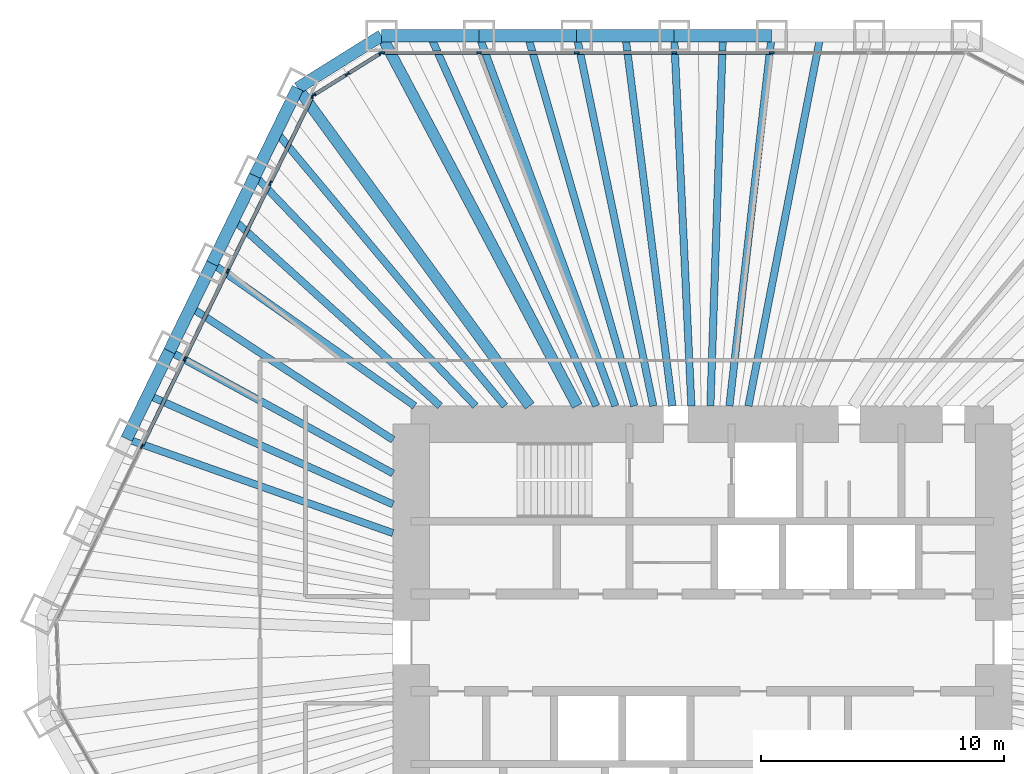
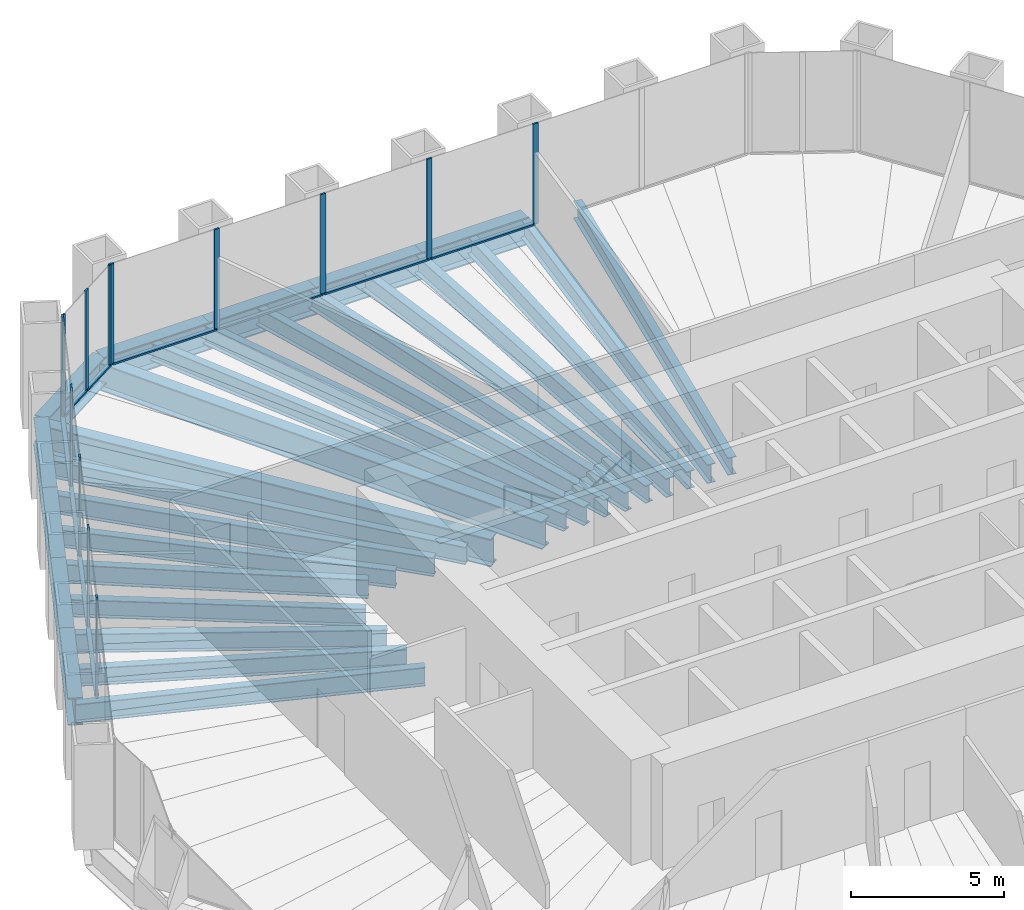
# One storey, part 6 of 13: 28 beams, 23 members, 3 elements without a shape of their own.
"""IFC4 building model written with IfcOpenShell, lengths in metres."""

from ifc_helpers import new_model, si_unit, direction, frame, origin, origin_2d, place, context, subcontext, project, spatial, rectangle, i_section, extrude, material, material_profile, profile_set, type_object, element, aggregate, save


model = new_model("IFC4")

# Units and contexts
model_context = context("Model", 3, precision=1e-05, world=origin(), true_north=direction((0.0, 1.0)))
body_context = subcontext(model_context, "Body", "Model", "MODEL_VIEW")
ifc_project = project(units=[si_unit("LENGTHUNIT", "METRE"), si_unit("AREAUNIT", "SQUARE_METRE"), si_unit("VOLUMEUNIT", "CUBIC_METRE"), si_unit("PLANEANGLEUNIT", "RADIAN"), si_unit("MASSUNIT", "GRAM", prefix="KILO")], contexts=[model_context])

# Site, building, storey
site_placement = place(None, origin())
site = spatial("IfcSite", under=ifc_project, at=site_placement, CompositionType="ELEMENT")
building_placement = place(site_placement, origin())
building = spatial("IfcBuilding", under=site, at=building_placement, Name="Qingtian Harvest Tower", CompositionType="ELEMENT")
storey_placement = place(building_placement, frame((0.0, 0.0, 166.0)))
storey = spatial("IfcBuildingStorey", under=building, at=storey_placement, Name="L35", CompositionType="ELEMENT", Elevation=166.0)

# Beams
ifc_material_1 = material(Name="Steel SM570MC", Category="steel")
ifc_material_profile_1 = material_profile(ifc_material_1, i_section(OverallWidth=0.449951171875, OverallDepth=1.10009765625, WebThickness=0.02197265625, FlangeThickness=0.044921875, at=origin_2d()), Name="H1100x450x22x45")
ifc_profile_set_1 = profile_set([ifc_material_profile_1], Name="Steel SM570MC")
beam_type_1 = type_object("IfcBeamType", Name="Corner floor beam FB8 H1100x450x22x45", PredefinedType="BEAM", material=ifc_profile_set_1)
beam_1_placement = place(storey_placement, frame((-13.2216796875, 25.0, -0.719970703125), z_axis=(0.46750989692, -0.88398783718, 0.0), x_axis=(0.88398783718, 0.46750989692, 0.0)))
element("IfcBeam", 1, at=beam_1_placement, inside=storey, type_object=beam_type_1, Name="Floor beam FB8 N0", PredefinedType="BEAM", context=body_context, shape_type="SweptSolid", body=[
    extrude(i_section(OverallWidth=0.449951171875, OverallDepth=1.10009765625, WebThickness=0.02197265625, FlangeThickness=0.044921875, at=origin_2d()), origin(), (0.0, 0.0, 1.0), 17.25146484375),
])
beam_2_placement = place(storey_placement, frame((-16.673828125, 22.8427734375, -0.719970703125), z_axis=(0.589577703364, -0.807711663712, 0.0), x_axis=(0.807711663712, 0.589577703364, 0.0)))
element("IfcBeam", 2, at=beam_2_placement, inside=storey, type_object=beam_type_1, Name="Floor beam FB8 NW6", PredefinedType="BEAM", context=body_context, shape_type="SweptSolid", body=[
    extrude(i_section(OverallWidth=0.449951171875, OverallDepth=1.10009765625, WebThickness=0.02197265625, FlangeThickness=0.044921875, at=origin_2d()), origin(), (0.0, 0.0, 1.0), 16.209716796875),
])
ifc_material_2 = material(Name="Steel SN490B", Category="steel")
ifc_material_profile_2 = material_profile(ifc_material_2, i_section(OverallWidth=0.300048828125, OverallDepth=0.75, WebThickness=0.013916015625, FlangeThickness=0.02490234375, at=origin_2d()), Name="H750x300x14x25")
ifc_profile_set_2 = profile_set([ifc_material_profile_2], Name="Steel SN490B")
beam_type_2 = type_object("IfcBeamType", Name="Floor beam FB12 H750x300x14x25", PredefinedType="BEAM", material=ifc_profile_set_2)
beam_3_placement = place(storey_placement, frame((-9.20263671875, 25.0, -0.544921875), z_axis=(0.345440084985, -0.938440806703, 0.0), x_axis=(0.938440806703, 0.345440084985, 0.0)))
element("IfcBeam", 3, at=beam_3_placement, inside=storey, type_object=beam_type_2, Name="Floor beam FB12 N1", PredefinedType="BEAM", context=body_context, shape_type="SweptSolid", body=[
    extrude(i_section(OverallWidth=0.300048828125, OverallDepth=0.75, WebThickness=0.013916015625, FlangeThickness=0.02490234375, at=origin_2d()), origin(), (0.0, 0.0, 1.0), 16.250244140625),
])
beam_4_placement = place(storey_placement, frame((-5.18359375, 25.0, -0.544921875), z_axis=(0.203032709566, -0.979171955709, 0.0), x_axis=(0.979171955709, 0.203032709566, 0.0)))
element("IfcBeam", 4, at=beam_4_placement, inside=storey, type_object=beam_type_2, Name="Floor beam FB12 N2", PredefinedType="BEAM", context=body_context, shape_type="SweptSolid", body=[
    extrude(i_section(OverallWidth=0.300048828125, OverallDepth=0.75, WebThickness=0.013916015625, FlangeThickness=0.02490234375, at=origin_2d()), origin(), (0.0, 0.0, 1.0), 15.574462890625),
])
beam_5_placement = place(storey_placement, frame((-1.16455078125, 25.0, -0.544921875), z_axis=(0.046536361684, -0.998916596639, 0.0), x_axis=(0.998916596639, 0.046536361684, 0.0)))
element("IfcBeam", 5, at=beam_5_placement, inside=storey, type_object=beam_type_2, Name="Floor beam FB12 N3", PredefinedType="BEAM", context=body_context, shape_type="SweptSolid", body=[
    extrude(i_section(OverallWidth=0.300048828125, OverallDepth=0.75, WebThickness=0.013916015625, FlangeThickness=0.02490234375, at=origin_2d()), origin(), (0.0, 0.0, 1.0), 15.2666015625),
])
beam_6_placement = place(storey_placement, frame((2.8544921875, 25.0, -0.544921875), z_axis=(-0.113440722222, -0.993544766249, 0.0), x_axis=(0.993544766249, -0.113440722222, 0.0)))
element("IfcBeam", 6, at=beam_6_placement, inside=storey, type_object=beam_type_2, Name="Floor beam FB12 N4", PredefinedType="BEAM", context=body_context, shape_type="SweptSolid", body=[
    extrude(i_section(OverallWidth=0.300048828125, OverallDepth=0.75, WebThickness=0.013916015625, FlangeThickness=0.02490234375, at=origin_2d()), origin(), (0.0, 0.0, 1.0), 15.34912109375),
])
beam_7_placement = place(storey_placement, frame((-23.72119140625, 8.3935546875, -0.544921875), z_axis=(0.942723186419, -0.333576068967, 0.0), x_axis=(0.333576068967, 0.942723186419, 0.0)))
element("IfcBeam", 7, at=beam_7_placement, inside=storey, type_object=beam_type_2, Name="Floor beam FB12 NW2", PredefinedType="BEAM", context=body_context, shape_type="SweptSolid", body=[
    extrude(i_section(OverallWidth=0.300048828125, OverallDepth=0.75, WebThickness=0.013916015625, FlangeThickness=0.02490234375, at=origin_2d()), origin(), (0.0, 0.0, 1.0), 11.6376953125),
])
beam_8_placement = place(storey_placement, frame((-21.95947265625, 12.005859375, -0.544921875), z_axis=(0.877432026785, -0.479700988505, 0.0), x_axis=(0.479700988505, 0.877432026785, 0.0)))
element("IfcBeam", 8, at=beam_8_placement, inside=storey, type_object=beam_type_2, Name="Floor beam FB12 NW3", PredefinedType="BEAM", context=body_context, shape_type="SweptSolid", body=[
    extrude(i_section(OverallWidth=0.300048828125, OverallDepth=0.75, WebThickness=0.013916015625, FlangeThickness=0.02490234375, at=origin_2d()), origin(), (0.0, 0.0, 1.0), 10.495849609375),
])
beam_9_placement = place(storey_placement, frame((-20.197509765625, 15.6181640625, -0.544921875), z_axis=(0.818080343043, -0.57510394915, 0.0), x_axis=(0.57510394915, 0.818080343043, 0.0)))
element("IfcBeam", 9, at=beam_9_placement, inside=storey, type_object=beam_type_2, Name="Floor beam FB12 NW4", PredefinedType="BEAM", context=body_context, shape_type="SweptSolid", body=[
    extrude(i_section(OverallWidth=0.300048828125, OverallDepth=0.75, WebThickness=0.013916015625, FlangeThickness=0.02490234375, at=origin_2d()), origin(), (0.0, 0.0, 1.0), 10.20361328125),
])
beam_10_placement = place(storey_placement, frame((-18.435791015625, 19.23046875, -0.544921875), z_axis=(0.69204101057, -0.721858185303, 0.0), x_axis=(0.721858185303, 0.69204101057, 0.0)))
element("IfcBeam", 10, at=beam_10_placement, inside=storey, type_object=beam_type_2, Name="Floor beam FB12 NW5", PredefinedType="BEAM", context=body_context, shape_type="SweptSolid", body=[
    extrude(i_section(OverallWidth=0.300048828125, OverallDepth=0.75, WebThickness=0.013916015625, FlangeThickness=0.02490234375, at=origin_2d()), origin(), (0.0, 0.0, 1.0), 13.13330078125),
])
ifc_material_3 = material(Name="Steel SN490B", Category="steel")
ifc_material_profile_3 = material_profile(ifc_material_3, i_section(OverallWidth=0.300048828125, OverallDepth=0.699951171875, WebThickness=0.012939453125, FlangeThickness=0.02392578125, at=origin_2d()), Name="H700x300x13x24")
ifc_profile_set_3 = profile_set([ifc_material_profile_3], Name="Steel SN490B")
beam_type_3 = type_object("IfcBeamType", Name="Floor joist J2 H700x300x13x24", PredefinedType="JOIST", material=ifc_profile_set_3)
beam_11_placement = place(storey_placement, frame((-11.212158203125, 25.0, -0.52001953125), z_axis=(0.409212761683, -0.912438992852, 0.0), x_axis=(0.912438992852, 0.409212761683, 0.0)))
element("IfcBeam", 11, at=beam_11_placement, inside=storey, type_object=beam_type_3, Name="Floor joist J2 N0", PredefinedType="JOIST", context=body_context, shape_type="SweptSolid", body=[
    extrude(i_section(OverallWidth=0.300048828125, OverallDepth=0.699951171875, WebThickness=0.012939453125, FlangeThickness=0.02392578125, at=origin_2d()), origin(), (0.0, 0.0, 1.0), 16.71337890625),
])
beam_12_placement = place(storey_placement, frame((-7.193115234375, 25.0, -0.52001953125), z_axis=(0.276500682027, -0.961013721462, 0.0), x_axis=(0.961013721462, 0.276500682027, 0.0)))
element("IfcBeam", 12, at=beam_12_placement, inside=storey, type_object=beam_type_3, Name="Floor joist J2 N1", PredefinedType="JOIST", context=body_context, shape_type="SweptSolid", body=[
    extrude(i_section(OverallWidth=0.300048828125, OverallDepth=0.699951171875, WebThickness=0.012939453125, FlangeThickness=0.02392578125, at=origin_2d()), origin(), (0.0, 0.0, 1.0), 15.86865234375),
])
beam_13_placement = place(storey_placement, frame((-3.174072265625, 25.0, -0.52001953125), z_axis=(0.125957899702, -0.992035587821, 0.0), x_axis=(0.992035587821, 0.125957899702, 0.0)))
element("IfcBeam", 13, at=beam_13_placement, inside=storey, type_object=beam_type_3, Name="Floor joist J2 N2", PredefinedType="JOIST", context=body_context, shape_type="SweptSolid", body=[
    extrude(i_section(OverallWidth=0.300048828125, OverallDepth=0.699951171875, WebThickness=0.012939453125, FlangeThickness=0.02392578125, at=origin_2d()), origin(), (0.0, 0.0, 1.0), 15.372314453125),
])
beam_14_placement = place(storey_placement, frame((0.844970703125, 25.0, -0.52001953125), z_axis=(-0.033776183237, -0.999429421943, 0.0), x_axis=(0.999429421943, -0.033776183237, 0.0)))
element("IfcBeam", 14, at=beam_14_placement, inside=storey, type_object=beam_type_3, Name="Floor joist J2 N3", PredefinedType="JOIST", context=body_context, shape_type="SweptSolid", body=[
    extrude(i_section(OverallWidth=0.300048828125, OverallDepth=0.699951171875, WebThickness=0.012939453125, FlangeThickness=0.02392578125, at=origin_2d()), origin(), (0.0, 0.0, 1.0), 15.2587890625),
])
beam_15_placement = place(storey_placement, frame((4.864013671875, 25.0, -0.52001953125), z_axis=(-0.190979017217, -0.981594119269, 0.0), x_axis=(0.981594119269, -0.190979017217, 0.0)))
element("IfcBeam", 15, at=beam_15_placement, inside=storey, type_object=beam_type_3, Name="Floor joist J2 N4", PredefinedType="JOIST", context=body_context, shape_type="SweptSolid", body=[
    extrude(i_section(OverallWidth=0.300048828125, OverallDepth=0.699951171875, WebThickness=0.012939453125, FlangeThickness=0.02392578125, at=origin_2d()), origin(), (0.0, 0.0, 1.0), 15.535888671875),
])
beam_16_placement = place(storey_placement, frame((-22.84033203125, 10.19970703125, -0.52001953125), z_axis=(0.913095877166, -0.407744919162, 0.0), x_axis=(0.407744919162, 0.913095877166, 0.0)))
element("IfcBeam", 16, at=beam_16_placement, inside=storey, type_object=beam_type_3, Name="Floor joist J2 NW2", PredefinedType="JOIST", context=body_context, shape_type="SweptSolid", body=[
    extrude(i_section(OverallWidth=0.300048828125, OverallDepth=0.699951171875, WebThickness=0.012939453125, FlangeThickness=0.02392578125, at=origin_2d()), origin(), (0.0, 0.0, 1.0), 11.05078125),
])
beam_17_placement = place(storey_placement, frame((-21.078369140625, 13.81201171875, -0.52001953125), z_axis=(0.836426246046, -0.548079496903, 0.0), x_axis=(0.548079496903, 0.836426246046, 0.0)))
element("IfcBeam", 17, at=beam_17_placement, inside=storey, type_object=beam_type_3, Name="Floor joist J2 NW3", PredefinedType="JOIST", context=body_context, shape_type="SweptSolid", body=[
    extrude(i_section(OverallWidth=0.300048828125, OverallDepth=0.699951171875, WebThickness=0.012939453125, FlangeThickness=0.02392578125, at=origin_2d()), origin(), (0.0, 0.0, 1.0), 9.95703125),
])
beam_18_placement = place(storey_placement, frame((-19.316650390625, 17.42431640625, -0.52001953125), z_axis=(0.742543540775, -0.669797797886, 0.0), x_axis=(0.669797797886, 0.742543540775, 0.0)))
element("IfcBeam", 18, at=beam_18_placement, inside=storey, type_object=beam_type_3, Name="Floor joist J2 NW4", PredefinedType="JOIST", context=body_context, shape_type="SweptSolid", body=[
    extrude(i_section(OverallWidth=0.300048828125, OverallDepth=0.699951171875, WebThickness=0.012939453125, FlangeThickness=0.02392578125, at=origin_2d()), origin(), (0.0, 0.0, 1.0), 11.457763671875),
])
beam_19_placement = place(storey_placement, frame((-17.5546875, 21.03662109375, -0.52001953125), z_axis=(0.640703730007, -0.767788206704, 0.0), x_axis=(0.767788206704, 0.640703730007, 0.0)))
element("IfcBeam", 19, at=beam_19_placement, inside=storey, type_object=beam_type_3, Name="Floor joist J2 NW5", PredefinedType="JOIST", context=body_context, shape_type="SweptSolid", body=[
    extrude(i_section(OverallWidth=0.300048828125, OverallDepth=0.699951171875, WebThickness=0.012939453125, FlangeThickness=0.02392578125, at=origin_2d()), origin(), (0.0, 0.0, 1.0), 14.7001953125),
])

# Curtain wall, members
ifc_material_4 = material(Name="Bronze-anodised aluminium curtain wall", Category="aluminium")
curtain_wall_type = type_object("IfcCurtainWallType", Name="Curtain wall CW4 office", PredefinedType="USERDEFINED", material=ifc_material_4)
curtain_wall_1_placement = place(storey_placement, origin())
curtain_wall_1 = element("IfcCurtainWall", 20, at=curtain_wall_1_placement, inside=storey, type_object=curtain_wall_type, Name="Curtain wall CW4 L35 N0-5", ObjectType="RECESSED CURTAIN WALL", PredefinedType="USERDEFINED")
ifc_material_5 = material(Name="Bronze-anodised aluminium mullion", Category="aluminium")
ifc_material_profile_4 = material_profile(ifc_material_5, rectangle(XDim=0.06494140625, YDim=0.199951171875, at=origin_2d()), Name="AL 65x200")
ifc_profile_set_4 = profile_set([ifc_material_profile_4], Name="Bronze-anodised aluminium mullion")
member_type_1 = type_object("IfcMemberType", Name="Mullion CWM 65x200", PredefinedType="MULLION", material=ifc_profile_set_4)
member_1_placement = place(storey_placement, frame((-13.189208984375, 24.300048828125, 0.0), z_axis=(0.0, 0.0, 1.0), x_axis=(0.0, 1.0, 0.0)))
member_1 = element("IfcMember", 21, at=member_1_placement, type_object=member_type_1, Name="CW4 mullion 1", PredefinedType="MULLION", context=body_context, shape_type="SweptSolid", body=[
    extrude(rectangle(XDim=0.06494140625, YDim=0.199951171875, at=origin_2d()), origin(), (0.0, 0.0, 1.0), 4.030029296875),
])
member_2_placement = place(storey_placement, frame((-9.20263671875, 24.300048828125, 0.0), z_axis=(0.0, 0.0, 1.0), x_axis=(0.0, 1.0, 0.0)))
member_2 = element("IfcMember", 22, at=member_2_placement, type_object=member_type_1, Name="CW4 mullion 2", PredefinedType="MULLION", context=body_context, shape_type="SweptSolid", body=[
    extrude(rectangle(XDim=0.06494140625, YDim=0.199951171875, at=origin_2d()), origin(), (0.0, 0.0, 1.0), 4.030029296875),
])
member_3_placement = place(storey_placement, frame((-5.18359375, 24.300048828125, 0.0), z_axis=(0.0, 0.0, 1.0), x_axis=(0.0, 1.0, 0.0)))
member_3 = element("IfcMember", 23, at=member_3_placement, type_object=member_type_1, Name="CW4 mullion 3", PredefinedType="MULLION", context=body_context, shape_type="SweptSolid", body=[
    extrude(rectangle(XDim=0.06494140625, YDim=0.199951171875, at=origin_2d()), origin(), (0.0, 0.0, 1.0), 4.030029296875),
])
member_4_placement = place(storey_placement, frame((-1.16455078125, 24.300048828125, 0.0), z_axis=(0.0, 0.0, 1.0), x_axis=(0.0, 1.0, 0.0)))
member_4 = element("IfcMember", 24, at=member_4_placement, type_object=member_type_1, Name="CW4 mullion 4", PredefinedType="MULLION", context=body_context, shape_type="SweptSolid", body=[
    extrude(rectangle(XDim=0.06494140625, YDim=0.199951171875, at=origin_2d()), origin(), (0.0, 0.0, 1.0), 4.030029296875),
])
member_5_placement = place(storey_placement, frame((2.8544921875, 24.300048828125, 0.0), z_axis=(0.0, 0.0, 1.0), x_axis=(0.0, 1.0, 0.0)))
member_5 = element("IfcMember", 25, at=member_5_placement, type_object=member_type_1, Name="CW4 mullion 5", PredefinedType="MULLION", context=body_context, shape_type="SweptSolid", body=[
    extrude(rectangle(XDim=0.06494140625, YDim=0.199951171875, at=origin_2d()), origin(), (0.0, 0.0, 1.0), 4.030029296875),
])

curtain_wall_2_placement = place(storey_placement, origin())
curtain_wall_2 = element("IfcCurtainWall", 26, at=curtain_wall_2_placement, inside=storey, type_object=curtain_wall_type, Name="Curtain wall CW4 L35 NW0-5", ObjectType="RECESSED CURTAIN WALL", PredefinedType="USERDEFINED")
member_6_placement = place(storey_placement, frame((-23.092041015625, 8.086669921875, 0.0), z_axis=(0.0, 0.0, 1.0), x_axis=(-0.898794046299, 0.438371146789, 0.0)))
member_6 = element("IfcMember", 27, at=member_6_placement, type_object=member_type_1, Name="CW4 mullion 3", PredefinedType="MULLION", context=body_context, shape_type="SweptSolid", body=[
    extrude(rectangle(XDim=0.06494140625, YDim=0.199951171875, at=origin_2d()), origin(), (0.0, 0.0, 1.0), 4.030029296875),
])
member_7_placement = place(storey_placement, frame((-21.330322265625, 11.698974609375, 0.0), z_axis=(0.0, 0.0, 1.0), x_axis=(-0.898794046299, 0.438371146789, 0.0)))
member_7 = element("IfcMember", 28, at=member_7_placement, type_object=member_type_1, Name="CW4 mullion 4", PredefinedType="MULLION", context=body_context, shape_type="SweptSolid", body=[
    extrude(rectangle(XDim=0.06494140625, YDim=0.199951171875, at=origin_2d()), origin(), (0.0, 0.0, 1.0), 4.030029296875),
])
member_8_placement = place(storey_placement, frame((-19.568359375, 15.311279296875, 0.0), z_axis=(0.0, 0.0, 1.0), x_axis=(-0.898794046299, 0.438371146789, 0.0)))
member_8 = element("IfcMember", 29, at=member_8_placement, type_object=member_type_1, Name="CW4 mullion 5", PredefinedType="MULLION", context=body_context, shape_type="SweptSolid", body=[
    extrude(rectangle(XDim=0.06494140625, YDim=0.199951171875, at=origin_2d()), origin(), (0.0, 0.0, 1.0), 4.030029296875),
])
member_9_placement = place(storey_placement, frame((-17.806396484375, 18.923828125, 0.0), z_axis=(0.0, 0.0, 1.0), x_axis=(-0.898794046299, 0.438371146789, 0.0)))
member_9 = element("IfcMember", 30, at=member_9_placement, type_object=member_type_1, Name="CW4 mullion 6", PredefinedType="MULLION", context=body_context, shape_type="SweptSolid", body=[
    extrude(rectangle(XDim=0.06494140625, YDim=0.199951171875, at=origin_2d()), origin(), (0.0, 0.0, 1.0), 4.030029296875),
])
member_10_placement = place(storey_placement, frame((-16.058837890625, 22.5068359375, 0.0), z_axis=(0.0, 0.0, 1.0), x_axis=(-0.898794046299, 0.438371146789, 0.0)))
member_10 = element("IfcMember", 31, at=member_10_placement, type_object=member_type_1, Name="CW4 mullion 7", PredefinedType="MULLION", context=body_context, shape_type="SweptSolid", body=[
    extrude(rectangle(XDim=0.06494140625, YDim=0.199951171875, at=origin_2d()), origin(), (0.0, 0.0, 1.0), 4.030029296875),
])

curtain_wall_3_placement = place(storey_placement, origin())
curtain_wall_3 = element("IfcCurtainWall", 32, at=curtain_wall_3_placement, inside=storey, type_object=curtain_wall_type, Name="Curtain wall CW4 L35 NWC", ObjectType="RECESSED CURTAIN WALL", PredefinedType="USERDEFINED")
member_11_placement = place(storey_placement, frame((-16.01708984375, 22.55322265625, 0.0), z_axis=(0.0, 0.0, 1.0), x_axis=(-0.529919264233, 0.848048096156, 0.0)))
member_11 = element("IfcMember", 33, at=member_11_placement, type_object=member_type_1, Name="CW4 mullion 1", PredefinedType="MULLION", context=body_context, shape_type="SweptSolid", body=[
    extrude(rectangle(XDim=0.06494140625, YDim=0.199951171875, at=origin_2d()), origin(), (0.0, 0.0, 1.0), 4.030029296875),
])
member_12_placement = place(storey_placement, frame((-14.63330078125, 23.41796875, 0.0), z_axis=(0.0, 0.0, 1.0), x_axis=(-0.529919264233, 0.848048096156, 0.0)))
member_12 = element("IfcMember", 34, at=member_12_placement, type_object=member_type_1, Name="CW4 mullion 2", PredefinedType="MULLION", context=body_context, shape_type="SweptSolid", body=[
    extrude(rectangle(XDim=0.06494140625, YDim=0.199951171875, at=origin_2d()), origin(), (0.0, 0.0, 1.0), 4.030029296875),
])
member_13_placement = place(storey_placement, frame((-13.249267578125, 24.28271484375, 0.0), z_axis=(0.0, 0.0, 1.0), x_axis=(-0.529919264233, 0.848048096156, 0.0)))
member_13 = element("IfcMember", 35, at=member_13_placement, type_object=member_type_1, Name="CW4 mullion 3", PredefinedType="MULLION", context=body_context, shape_type="SweptSolid", body=[
    extrude(rectangle(XDim=0.06494140625, YDim=0.199951171875, at=origin_2d()), origin(), (0.0, 0.0, 1.0), 4.030029296875),
])

# Beams
ifc_material_6 = material(Name="Steel SM570MC", Category="steel")
ifc_material_profile_5 = material_profile(ifc_material_6, i_section(OverallWidth=0.5, OverallDepth=1.10009765625, WebThickness=0.02490234375, FlangeThickness=0.050048828125, at=origin_2d()), Name="H1100x500x25x50")
ifc_profile_set_5 = profile_set([ifc_material_profile_5], Name="Steel SM570MC")
beam_type_4 = type_object("IfcBeamType", Name="Spandrel beam SB2 H1100x500x25x50", PredefinedType="SPANDREL", material=ifc_profile_set_5)
for number, where, z_axis, x_axis, name in (
    (36, (-13.2216796875, 25.0, -0.550048828125), (1.0, 0.0, 0.0), (0.0, 1.0, 0.0), "Spandrel SB2 N0"),
    (37, (-9.20263671875, 25.0, -0.550048828125), (1.0, 0.0, 0.0), (0.0, 1.0, 0.0), "Spandrel SB2 N1"),
    (38, (-5.18359375, 25.0, -0.550048828125), (1.0, 0.0, 0.0), (0.0, 1.0, 0.0), "Spandrel SB2 N2"),
    (39, (-1.16455078125, 25.0, -0.550048828125), (1.0, 0.0, 0.0), (0.0, 1.0, 0.0), "Spandrel SB2 N3"),
    (40, (-23.72119140625, 8.3935546875, -0.550048828125), (0.438347033158, 0.898805806902, 0.0), (-0.898805806902, 0.438347033158, 0.0), "Spandrel SB2 NW2"),
    (41, (-21.95947265625, 12.005859375, -0.550048828125), (0.438396105405, 0.89878187274, 0.0), (-0.89878187274, 0.438396105405, 0.0), "Spandrel SB2 NW3"),
    (42, (-20.197509765625, 15.6181640625, -0.550048828125), (0.438347033158, 0.898805806902, 0.0), (-0.898805806902, 0.438347033158, 0.0), "Spandrel SB2 NW4"),
    (43, (-18.435791015625, 19.23046875, -0.550048828125), (0.438396105405, 0.89878187274, 0.0), (-0.89878187274, 0.438396105405, 0.0), "Spandrel SB2 NW5"),
):
    element("IfcBeam", number, at=place(storey_placement, frame(where, z_axis=z_axis, x_axis=x_axis)), inside=storey, type_object=beam_type_4, Name=name, PredefinedType="SPANDREL", context=body_context, shape_type="SweptSolid", body=[
        extrude(i_section(OverallWidth=0.5, OverallDepth=1.10009765625, WebThickness=0.02490234375, FlangeThickness=0.050048828125, at=origin_2d()), origin(), (0.0, 0.0, 1.0), 4.01904296875),
    ])
beam_20_placement = place(storey_placement, frame((-16.673828125, 22.8427734375, -0.550048828125), z_axis=(0.848038733752, 0.529934246919, 0.0), x_axis=(-0.529934246919, 0.848038733752, 0.0)))
element("IfcBeam", 44, at=beam_20_placement, inside=storey, type_object=beam_type_4, Name="Spandrel SB2 NWC", PredefinedType="SPANDREL", context=body_context, shape_type="SweptSolid", body=[
    extrude(i_section(OverallWidth=0.5, OverallDepth=1.10009765625, WebThickness=0.02490234375, FlangeThickness=0.050048828125, at=origin_2d()), origin(), (0.0, 0.0, 1.0), 4.07080078125),
])

# Member
ifc_material_7 = material(Name="Bronze-anodised aluminium transom", Category="aluminium")
ifc_material_profile_6 = material_profile(ifc_material_7, rectangle(XDim=0.14990234375, YDim=0.06494140625, at=origin_2d()), Name="AL 65x150")
ifc_profile_set_6 = profile_set([ifc_material_profile_6], Name="Bronze-anodised aluminium transom")
member_type_2 = type_object("IfcMemberType", Name="Transom CWT 65x150", PredefinedType="USERDEFINED", material=ifc_profile_set_6)
member_14_placement = place(storey_placement, frame((-13.15673828125, 24.300048828125, 0.032470703125), z_axis=(1.0, 0.0, 0.0), x_axis=(0.0, 1.0, 0.0)))
member_14 = element("IfcMember", 45, at=member_14_placement, type_object=member_type_2, Name="CW4 transom 1.1", ObjectType="TRANSOM", PredefinedType="USERDEFINED", context=body_context, shape_type="SweptSolid", body=[
    extrude(rectangle(XDim=0.14990234375, YDim=0.06494140625, at=origin_2d()), origin(), (0.0, 0.0, 1.0), 3.921630859375),
])

member_15_placement = place(storey_placement, frame((-9.170166015625, 24.300048828125, 0.032470703125), z_axis=(1.0, 0.0, 0.0), x_axis=(0.0, 1.0, 0.0)))
member_15 = element("IfcMember", 46, at=member_15_placement, type_object=member_type_2, Name="CW4 transom 2.1", ObjectType="TRANSOM", PredefinedType="USERDEFINED", context=body_context, shape_type="SweptSolid", body=[
    extrude(rectangle(XDim=0.14990234375, YDim=0.06494140625, at=origin_2d()), origin(), (0.0, 0.0, 1.0), 3.9541015625),
])

member_16_placement = place(storey_placement, frame((-5.151123046875, 24.300048828125, 0.032470703125), z_axis=(1.0, 0.0, 0.0), x_axis=(0.0, 1.0, 0.0)))
member_16 = element("IfcMember", 47, at=member_16_placement, type_object=member_type_2, Name="CW4 transom 3.1", ObjectType="TRANSOM", PredefinedType="USERDEFINED", context=body_context, shape_type="SweptSolid", body=[
    extrude(rectangle(XDim=0.14990234375, YDim=0.06494140625, at=origin_2d()), origin(), (0.0, 0.0, 1.0), 3.9541015625),
])

member_17_placement = place(storey_placement, frame((-1.132080078125, 24.300048828125, 0.032470703125), z_axis=(1.0, 0.0, 0.0), x_axis=(0.0, 1.0, 0.0)))
member_17 = element("IfcMember", 48, at=member_17_placement, type_object=member_type_2, Name="CW4 transom 4.1", ObjectType="TRANSOM", PredefinedType="USERDEFINED", context=body_context, shape_type="SweptSolid", body=[
    extrude(rectangle(XDim=0.14990234375, YDim=0.06494140625, at=origin_2d()), origin(), (0.0, 0.0, 1.0), 3.9541015625),
])

aggregate(curtain_wall_1, [member_1, member_2, member_3, member_4, member_5, member_14, member_15, member_16, member_17])

member_18_placement = place(storey_placement, frame((-23.077880859375, 8.115966796875, 0.032470703125), z_axis=(0.438374972828, 0.898792180205, 0.0), x_axis=(-0.898792180205, 0.438374972828, 0.0)))
member_18 = element("IfcMember", 49, at=member_18_placement, type_object=member_type_2, Name="CW4 transom 3.1", ObjectType="TRANSOM", PredefinedType="USERDEFINED", context=body_context, shape_type="SweptSolid", body=[
    extrude(rectangle(XDim=0.14990234375, YDim=0.06494140625, at=origin_2d()), origin(), (0.0, 0.0, 1.0), 3.9541015625),
])

member_19_placement = place(storey_placement, frame((-21.31591796875, 11.728271484375, 0.032470703125), z_axis=(0.438374972828, 0.898792180205, 0.0), x_axis=(-0.898792180205, 0.438374972828, 0.0)))
member_19 = element("IfcMember", 50, at=member_19_placement, type_object=member_type_2, Name="CW4 transom 4.1", ObjectType="TRANSOM", PredefinedType="USERDEFINED", context=body_context, shape_type="SweptSolid", body=[
    extrude(rectangle(XDim=0.14990234375, YDim=0.06494140625, at=origin_2d()), origin(), (0.0, 0.0, 1.0), 3.9541015625),
])

member_20_placement = place(storey_placement, frame((-19.55419921875, 15.340576171875, 0.032470703125), z_axis=(0.438374972828, 0.898792180205, 0.0), x_axis=(-0.898792180205, 0.438374972828, 0.0)))
member_20 = element("IfcMember", 51, at=member_20_placement, type_object=member_type_2, Name="CW4 transom 5.1", ObjectType="TRANSOM", PredefinedType="USERDEFINED", context=body_context, shape_type="SweptSolid", body=[
    extrude(rectangle(XDim=0.14990234375, YDim=0.06494140625, at=origin_2d()), origin(), (0.0, 0.0, 1.0), 3.9541015625),
])

member_21_placement = place(storey_placement, frame((-17.792236328125, 18.952880859375, 0.032470703125), z_axis=(0.438351261745, 0.898803744611, 0.0), x_axis=(-0.898803744611, 0.438351261745, 0.0)))
member_21 = element("IfcMember", 52, at=member_21_placement, type_object=member_type_2, Name="CW4 transom 6.1", ObjectType="TRANSOM", PredefinedType="USERDEFINED", context=body_context, shape_type="SweptSolid", body=[
    extrude(rectangle(XDim=0.14990234375, YDim=0.06494140625, at=origin_2d()), origin(), (0.0, 0.0, 1.0), 3.92138671875),
])

aggregate(curtain_wall_2, [member_6, member_7, member_8, member_9, member_10, member_18, member_19, member_20, member_21])

member_22_placement = place(storey_placement, frame((-15.989501953125, 22.570556640625, 0.032470703125), z_axis=(0.848059570903, 0.529900900357, 0.0), x_axis=(-0.529900900357, 0.848059570903, 0.0)))
member_22 = element("IfcMember", 53, at=member_22_placement, type_object=member_type_2, Name="CW4 transom 1.1", ObjectType="TRANSOM", PredefinedType="USERDEFINED", context=body_context, shape_type="SweptSolid", body=[
    extrude(rectangle(XDim=0.14990234375, YDim=0.06494140625, at=origin_2d()), origin(), (0.0, 0.0, 1.0), 1.56689453125),
])

member_23_placement = place(storey_placement, frame((-14.605712890625, 23.435302734375, 0.032470703125), z_axis=(0.848059570903, 0.529900900357, 0.0), x_axis=(-0.529900900357, 0.848059570903, 0.0)))
member_23 = element("IfcMember", 54, at=member_23_placement, type_object=member_type_2, Name="CW4 transom 2.1", ObjectType="TRANSOM", PredefinedType="USERDEFINED", context=body_context, shape_type="SweptSolid", body=[
    extrude(rectangle(XDim=0.14990234375, YDim=0.06494140625, at=origin_2d()), origin(), (0.0, 0.0, 1.0), 1.56689453125),
])

aggregate(curtain_wall_3, [member_11, member_12, member_13, member_22, member_23])

save(model, "model.ifc")
